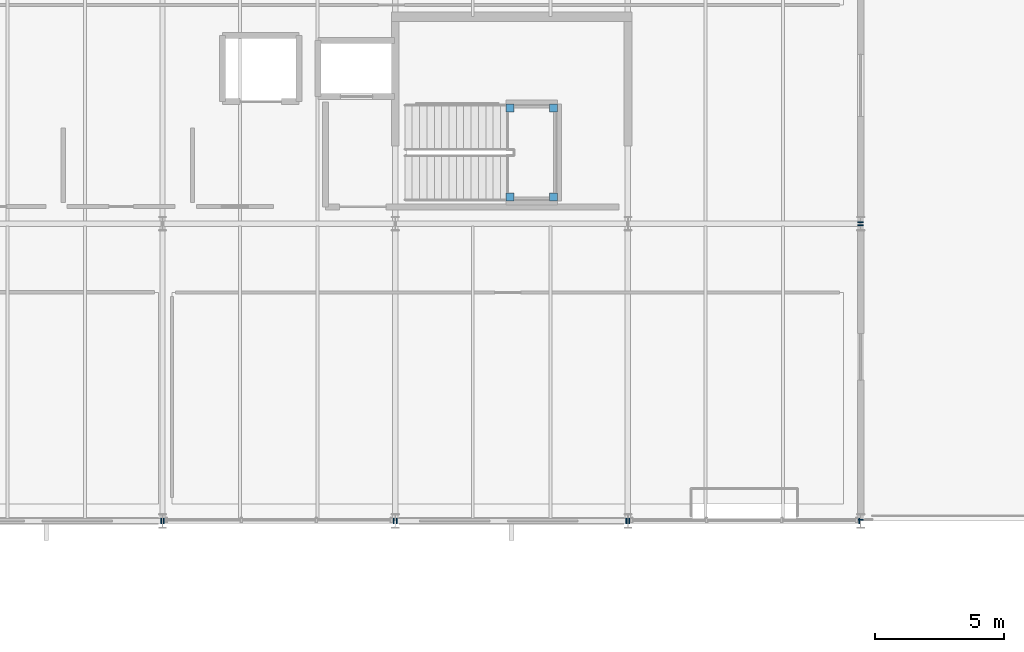
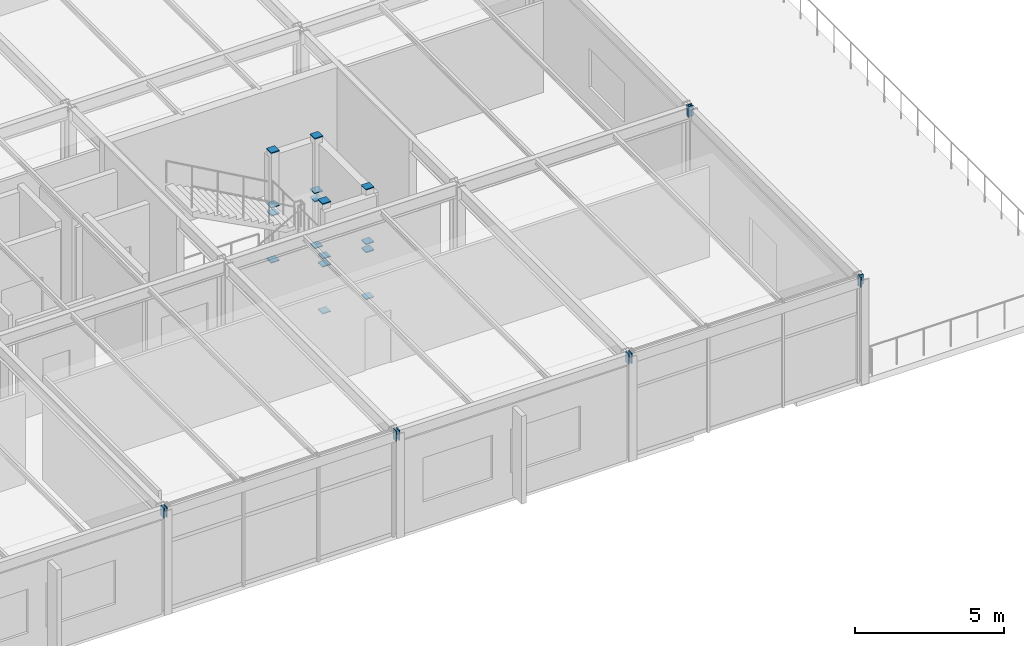
# One storey, part 29 of 44: 26 discrete accessories.
"""IFC4 building model written with IfcOpenShell, lengths in metres."""

from ifc_helpers import new_model, si_unit, direction, frame, origin, origin_2d, place, context, subcontext, project, spatial, rectangle, extrude, material, element, save


model = new_model("IFC4")

# Units and contexts
model_context = context("Model", 3, precision=1e-05, world=origin(), true_north=direction((0.0, 1.0)))
body_context = subcontext(model_context, "Body", "Model", "MODEL_VIEW")
ifc_project = project(units=[si_unit("LENGTHUNIT", "METRE"), si_unit("AREAUNIT", "SQUARE_METRE"), si_unit("VOLUMEUNIT", "CUBIC_METRE"), si_unit("PLANEANGLEUNIT", "RADIAN"), si_unit("MASSUNIT", "GRAM", prefix="KILO")], contexts=[model_context])

# Site, building, storey
site_placement = place(None, origin())
site = spatial("IfcSite", under=ifc_project, at=site_placement, CompositionType="ELEMENT")
building_placement = place(site_placement, origin())
building = spatial("IfcBuilding", under=site, at=building_placement, Name="Marlcrest Central Station", CompositionType="ELEMENT")
storey_placement = place(building_placement, frame((0.0, 0.0, 19.5)))
storey = spatial("IfcBuildingStorey", under=building, at=storey_placement, Name="L04", CompositionType="ELEMENT", Elevation=19.5)

# Discrete accessories
ifc_material = material(Name="Steel S355", Category="steel")
for number, where, z_axis, x_axis, name in (
    (1, (35.925048828125, 99.0, 4.074951171875), (1.0, 0.0, 0.0), (0.0, 1.0, 0.0), "endcap-bm-SP-01-L04-00578-e"),
    (2, (36.03515625, 99.0, 4.074951171875), (1.0, 0.0, 0.0), (0.0, 1.0, 0.0), "endcap-bm-SP-01-L04-00579-s"),
    (3, (44.925048828125, 99.0, 4.074951171875), (1.0, 0.0, 0.0), (0.0, 1.0, 0.0), "endcap-bm-SP-01-L04-00579-e"),
    (4, (45.03515625, 99.0, 4.074951171875), (1.0, 0.0, 0.0), (0.0, 1.0, 0.0), "endcap-bm-SP-01-L04-00580-s"),
    (5, (53.925048828125, 99.0, 4.074951171875), (1.0, 0.0, 0.0), (0.0, 1.0, 0.0), "endcap-bm-SP-01-L04-00580-e"),
    (6, (54.03515625, 99.0, 4.074951171875), (1.0, 0.0, 0.0), (0.0, 1.0, 0.0), "endcap-bm-SP-01-L04-00581-s"),
    (7, (62.925048828125, 99.0, 4.074951171875), (1.0, 0.0, 0.0), (0.0, 1.0, 0.0), "endcap-bm-SP-01-L04-00581-e"),
    (8, (63.0, 99.03515625, 4.074951171875), (0.0, 1.0, 0.0), (-1.0, 0.0, 0.0), "endcap-bm-SP-01-L04-00624-s"),
    (9, (63.0, 110.425048828125, 4.074951171875), (0.0, 1.0, 0.0), (-1.0, 0.0, 0.0), "endcap-bm-SP-01-L04-00624-e"),
    (10, (63.0, 110.53515625, 4.074951171875), (0.0, 1.0, 0.0), (-1.0, 0.0, 0.0), "endcap-bm-SP-01-L04-00625-s"),
):
    element("IfcDiscreteAccessory", number, at=place(storey_placement, frame(where, z_axis=z_axis, x_axis=x_axis)), inside=storey, material=ifc_material, Name=name, ObjectType="END_CAP_PLATE", PredefinedType="BRACKET", context=body_context, shape_type="SweptSolid", body=[
        extrude(rectangle(XDim=0.216064453125, YDim=0.416015625, at=origin_2d()), origin(), (0.0, 0.0, 1.0), 0.0400390625),
    ])
for number, where, z_axis, x_axis, name in (
    (11, (49.43994140625, 111.530029296875, -0.014892578125), (0.0, 0.0, 1.0), (1.0, 0.0, 0.0), "endcap-htcol-lo-0053-0-s"),
    (12, (49.43994140625, 111.530029296875, 1.905029296875), (0.0, 0.0, 1.0), (1.0, 0.0, 0.0), "endcap-htcol-lo-0053-0-e"),
    (13, (49.43994140625, 111.530029296875, 2.235107421875), (0.0, 0.0, 1.0), (1.0, 0.0, 0.0), "endcap-htcol-hi-0053-0-s"),
    (14, (49.43994140625, 111.530029296875, 4.47509765625), (0.0, 0.0, 1.0), (1.0, 0.0, 0.0), "endcap-htcol-hi-0053-0-e"),
    (15, (51.1201171875, 111.530029296875, -0.014892578125), (0.0, 0.0, 1.0), (1.0, 0.0, 0.0), "endcap-htcol-lo-0053-1-s"),
    (16, (51.1201171875, 111.530029296875, 1.905029296875), (0.0, 0.0, 1.0), (1.0, 0.0, 0.0), "endcap-htcol-lo-0053-1-e"),
    (17, (51.1201171875, 111.530029296875, 2.235107421875), (0.0, 0.0, 1.0), (1.0, 0.0, 0.0), "endcap-htcol-hi-0053-1-s"),
    (18, (51.1201171875, 111.530029296875, 4.47509765625), (0.0, 0.0, 1.0), (1.0, 0.0, 0.0), "endcap-htcol-hi-0053-1-e"),
    (19, (51.1201171875, 114.969970703125, -0.014892578125), (0.0, 0.0, 1.0), (1.0, 0.0, 0.0), "endcap-htcol-lo-0053-2-s"),
    (20, (51.1201171875, 114.969970703125, 1.905029296875), (0.0, 0.0, 1.0), (1.0, 0.0, 0.0), "endcap-htcol-lo-0053-2-e"),
    (21, (51.1201171875, 114.969970703125, 2.235107421875), (0.0, 0.0, 1.0), (1.0, 0.0, 0.0), "endcap-htcol-hi-0053-2-s"),
    (22, (51.1201171875, 114.969970703125, 4.47509765625), (0.0, 0.0, 1.0), (1.0, 0.0, 0.0), "endcap-htcol-hi-0053-2-e"),
    (23, (49.43994140625, 114.969970703125, -0.014892578125), (0.0, 0.0, 1.0), (1.0, 0.0, 0.0), "endcap-htcol-lo-0053-3-s"),
    (24, (49.43994140625, 114.969970703125, 1.905029296875), (0.0, 0.0, 1.0), (1.0, 0.0, 0.0), "endcap-htcol-lo-0053-3-e"),
    (25, (49.43994140625, 114.969970703125, 2.235107421875), (0.0, 0.0, 1.0), (1.0, 0.0, 0.0), "endcap-htcol-hi-0053-3-s"),
    (26, (49.43994140625, 114.969970703125, 4.47509765625), (0.0, 0.0, 1.0), (1.0, 0.0, 0.0), "endcap-htcol-hi-0053-3-e"),
):
    element("IfcDiscreteAccessory", number, at=place(storey_placement, frame(where, z_axis=z_axis, x_axis=x_axis)), inside=storey, material=ifc_material, Name=name, ObjectType="END_CAP_PLATE", PredefinedType="BRACKET", context=body_context, shape_type="SweptSolid", body=[
        extrude(rectangle(XDim=0.31591796875, YDim=0.31591796875, at=origin_2d()), origin(), (0.0, 0.0, 1.0), 0.0400390625),
    ])

save(model, "model.ifc")
